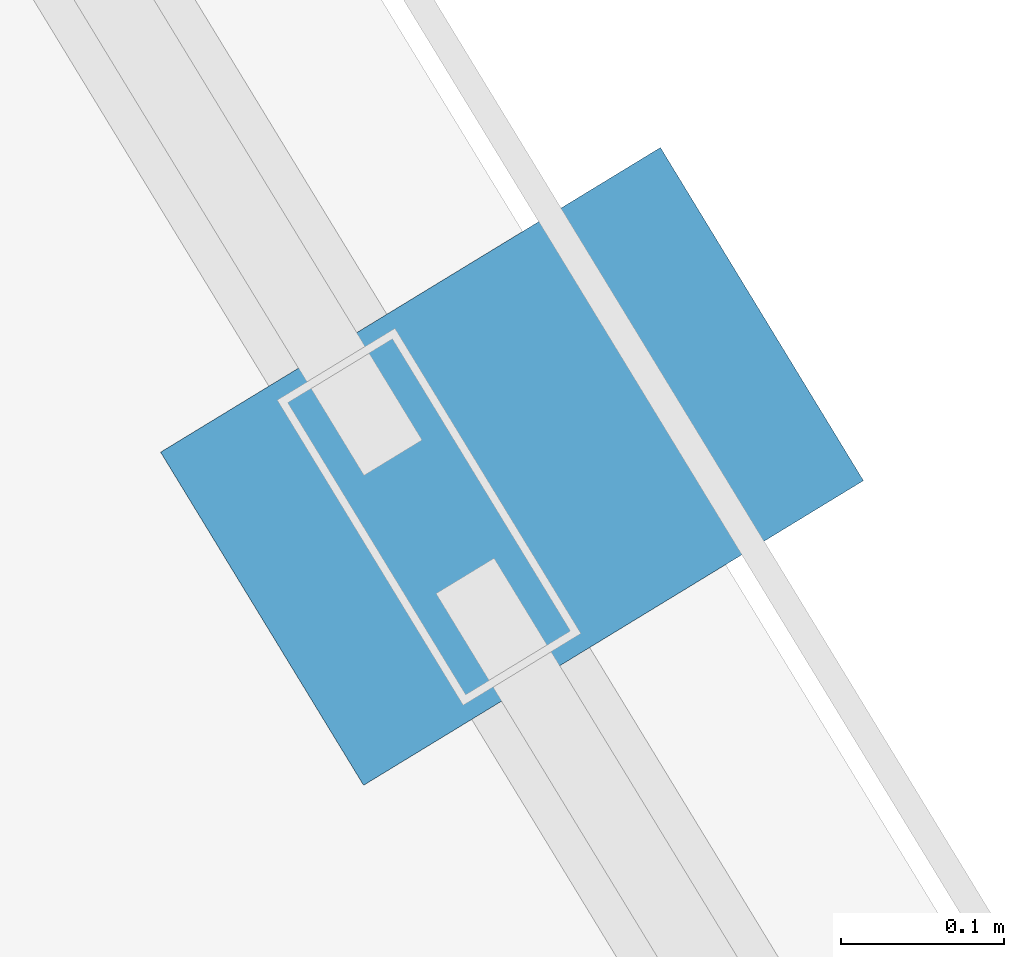
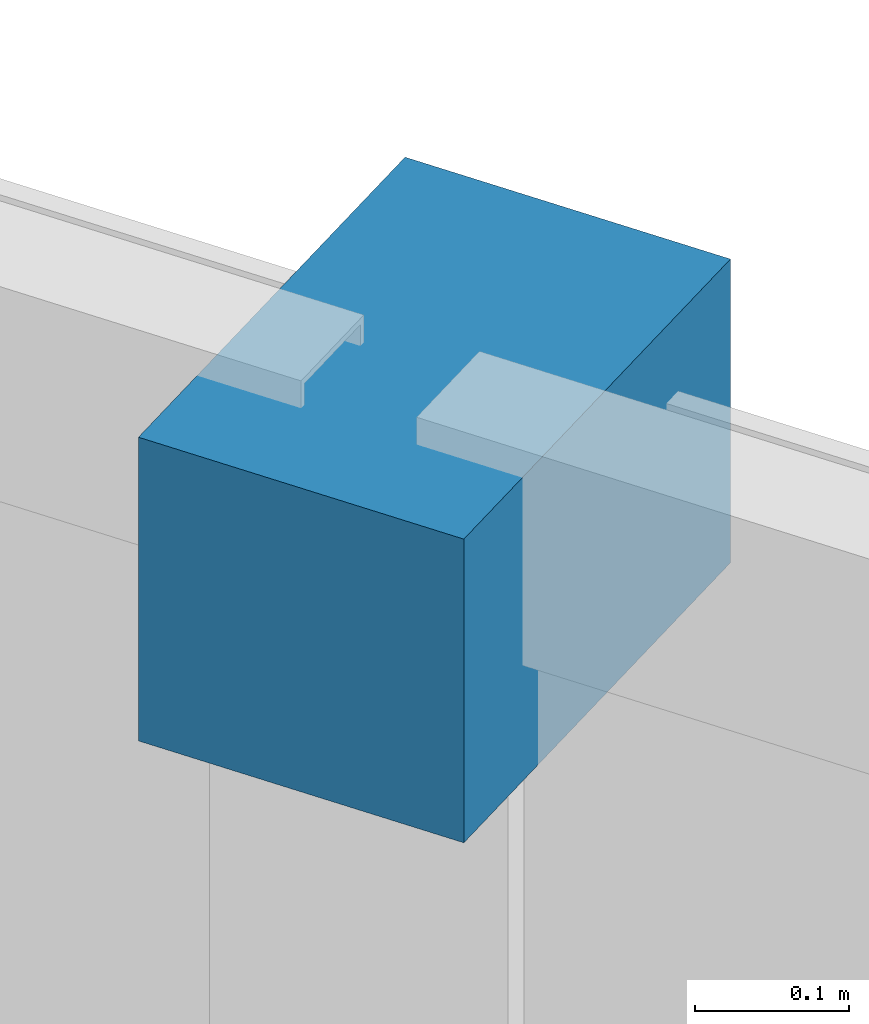
# One storey, part 133 of 139: 1 discrete accessory.
"""IFC4 building model written with IfcOpenShell, lengths in metres."""

from ifc_helpers import new_model, si_unit, direction, frame, origin, origin_2d, place, context, subcontext, project, spatial, rectangle, extrude, material, type_object, element, save


model = new_model("IFC4")

# Units and contexts
model_context = context("Model", 3, precision=1e-05, world=origin(), true_north=direction((0.0, 1.0)))
body_context = subcontext(model_context, "Body", "Model", "MODEL_VIEW")
ifc_project = project(units=[si_unit("LENGTHUNIT", "METRE"), si_unit("AREAUNIT", "SQUARE_METRE"), si_unit("VOLUMEUNIT", "CUBIC_METRE"), si_unit("PLANEANGLEUNIT", "RADIAN"), si_unit("MASSUNIT", "GRAM", prefix="KILO")], contexts=[model_context])

# Site, building, storey
site_placement = place(None, origin())
site = spatial("IfcSite", under=ifc_project, at=site_placement, CompositionType="ELEMENT")
building_placement = place(site_placement, origin())
building = spatial("IfcBuilding", under=site, at=building_placement, Name="Xicomal Pleat Aquarium", CompositionType="ELEMENT")
storey_placement = place(building_placement, origin())
storey = spatial("IfcBuildingStorey", under=building, at=storey_placement, Name="L01", CompositionType="ELEMENT", Elevation=0.0)

# Discrete accessory
ifc_material = material(Name="Stainless steel 316L", Category="steel")
discrete_accessory_type = type_object("IfcDiscreteAccessoryType", Name="ACC-BRK-STL", PredefinedType="BRACKET", material=ifc_material)
discrete_accessory_placement = place(storey_placement, frame((143.48095703125, 107.9580078125, 4.93994140625), z_axis=(0.0, 0.0, 1.0), x_axis=(0.520413614052, -0.853914322581, 0.0)))
element("IfcDiscreteAccessory", 1, at=discrete_accessory_placement, inside=storey, type_object=discrete_accessory_type, Name="L01 sunshade support bracket 39", PredefinedType="BRACKET", context=body_context, shape_type="SweptSolid", body=[
    extrude(rectangle(XDim=0.239990234375, YDim=0.360107421875, at=origin_2d()), origin(), (0.0, 0.0, 1.0), 0.239990234375),
])

save(model, "model.ifc")
